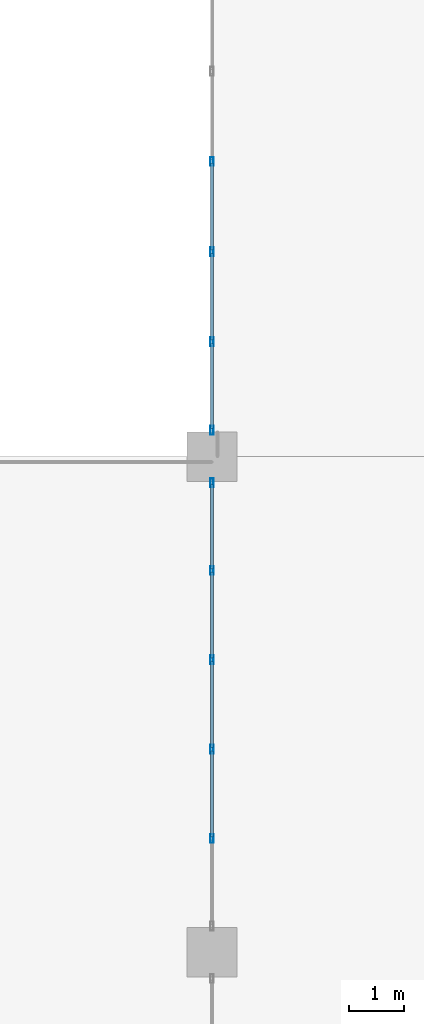
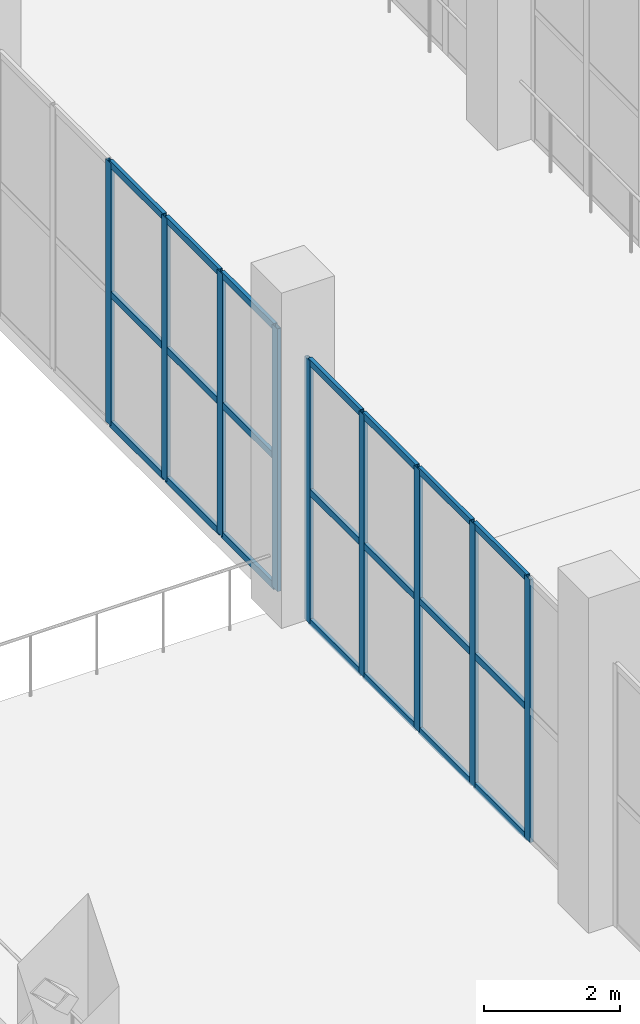
# One storey, part 107 of 223: 30 members, 2 elements without a shape of their own.
"""IFC4 building model written with IfcOpenShell, lengths in metres."""

from ifc_helpers import new_model, si_unit, direction, frame, origin, origin_2d, place, context, subcontext, project, spatial, hollow_rectangle, extrude, material, layer, layer_set, material_profile, profile_set, type_object, element, aggregate, save


model = new_model("IFC4")

# Units and contexts
model_context = context("Model", 3, precision=1e-05, world=origin(), true_north=direction((0.0, 1.0)))
body_context = subcontext(model_context, "Body", "Model", "MODEL_VIEW")
ifc_project = project(units=[si_unit("LENGTHUNIT", "METRE"), si_unit("AREAUNIT", "SQUARE_METRE"), si_unit("VOLUMEUNIT", "CUBIC_METRE"), si_unit("PLANEANGLEUNIT", "RADIAN"), si_unit("MASSUNIT", "GRAM", prefix="KILO")], contexts=[model_context])

# Site, building, storey
site_placement = place(None, origin())
site = spatial("IfcSite", under=ifc_project, at=site_placement, CompositionType="ELEMENT")
building_placement = place(site_placement, origin())
building = spatial("IfcBuilding", under=site, at=building_placement, Name="Dornveld Trade and Exhibition Forum", CompositionType="ELEMENT")
storey_placement = place(building_placement, frame((0.0, 0.0, 6.0)))
storey = spatial("IfcBuildingStorey", under=building, at=storey_placement, Name="L01", CompositionType="ELEMENT", Elevation=6.0)

# Curtain wall, members
ifc_material_1 = material(Name="Dark-bronze anodised aluminium and low-E glass", Category="aluminium")
ifc_layer_1 = layer(ifc_material_1, 0.154052734375)
ifc_layer_set_1 = layer_set([ifc_layer_1], Name="Dark-bronze anodised aluminium and low-E glass")
curtain_wall_type_1 = type_object("IfcCurtainWallType", Name="CW-SYS-04", PredefinedType="USERDEFINED", material=ifc_layer_set_1)
curtain_wall_1_placement = place(storey_placement, origin())
curtain_wall_1 = element("IfcCurtainWall", 1, at=curtain_wall_1_placement, inside=storey, type_object=curtain_wall_type_1, Name="L01 unitised curtain wall 148", ObjectType="UNITISED_CURTAIN_WALL", PredefinedType="USERDEFINED")
ifc_material_2 = material(Name="Dark-bronze anodised aluminium", Category="aluminium")
ifc_material_profile_1 = material_profile(ifc_material_2, hollow_rectangle(XDim=0.06005859375, YDim=0.159912109375, WallThickness=0.00390625, at=origin_2d()), Name="RHS 160x60x4")
ifc_profile_set_1 = profile_set([ifc_material_profile_1], Name="Dark-bronze anodised aluminium")
member_type_1 = type_object("IfcMemberType", Name="CW-MUL-160", PredefinedType="MULLION", material=ifc_profile_set_1)
member_1_placement = place(storey_placement, frame((90.0, 134.52392578125, -0.00390625), z_axis=(0.0, 0.0, 1.0), x_axis=(1.0, 0.0, 0.0)))
member_1 = element("IfcMember", 2, at=member_1_placement, type_object=member_type_1, Name="CW-04 mullion 1", PredefinedType="MULLION", context=body_context, shape_type="SweptSolid", body=[
    extrude(hollow_rectangle(XDim=0.06005859375, YDim=0.159912109375, WallThickness=0.00390625, at=origin_2d()), origin(), (0.0, 0.0, 1.0), 4.703857421875),
])
member_2_placement = place(storey_placement, frame((90.0, 132.932373046875, -0.00390625), z_axis=(0.0, 0.0, 1.0), x_axis=(1.0, 0.0, 0.0)))
member_2 = element("IfcMember", 3, at=member_2_placement, type_object=member_type_1, Name="CW-04 mullion 2", PredefinedType="MULLION", context=body_context, shape_type="SweptSolid", body=[
    extrude(hollow_rectangle(XDim=0.06005859375, YDim=0.159912109375, WallThickness=0.00390625, at=origin_2d()), origin(), (0.0, 0.0, 1.0), 4.703857421875),
])
member_3_placement = place(storey_placement, frame((90.0, 131.310791015625, -0.00390625), z_axis=(0.0, 0.0, 1.0), x_axis=(1.0, 0.0, 0.0)))
member_3 = element("IfcMember", 4, at=member_3_placement, type_object=member_type_1, Name="CW-04 mullion 3", PredefinedType="MULLION", context=body_context, shape_type="SweptSolid", body=[
    extrude(hollow_rectangle(XDim=0.06005859375, YDim=0.159912109375, WallThickness=0.00390625, at=origin_2d()), origin(), (0.0, 0.0, 1.0), 4.703857421875),
])
member_4_placement = place(storey_placement, frame((90.0, 129.689208984375, -0.00390625), z_axis=(0.0, 0.0, 1.0), x_axis=(1.0, 0.0, 0.0)))
member_4 = element("IfcMember", 5, at=member_4_placement, type_object=member_type_1, Name="CW-04 mullion 4", PredefinedType="MULLION", context=body_context, shape_type="SweptSolid", body=[
    extrude(hollow_rectangle(XDim=0.06005859375, YDim=0.159912109375, WallThickness=0.00390625, at=origin_2d()), origin(), (0.0, 0.0, 1.0), 4.703857421875),
])
member_5_placement = place(storey_placement, frame((90.0, 128.067626953125, -0.00390625), z_axis=(0.0, 0.0, 1.0), x_axis=(1.0, 0.0, 0.0)))
member_5 = element("IfcMember", 6, at=member_5_placement, type_object=member_type_1, Name="CW-04 mullion 5", PredefinedType="MULLION", context=body_context, shape_type="SweptSolid", body=[
    extrude(hollow_rectangle(XDim=0.06005859375, YDim=0.159912109375, WallThickness=0.00390625, at=origin_2d()), origin(), (0.0, 0.0, 1.0), 4.703857421875),
])

ifc_material_3 = material(Name="Dark-bronze anodised aluminium and low-E glass", Category="aluminium")
ifc_layer_2 = layer(ifc_material_3, 0.156982421875)
ifc_layer_set_2 = layer_set([ifc_layer_2], Name="Dark-bronze anodised aluminium and low-E glass")
curtain_wall_type_2 = type_object("IfcCurtainWallType", Name="CW-SYS-05", PredefinedType="USERDEFINED", material=ifc_layer_set_2)
curtain_wall_2_placement = place(storey_placement, origin())
curtain_wall_2 = element("IfcCurtainWall", 7, at=curtain_wall_2_placement, inside=storey, type_object=curtain_wall_type_2, Name="L01 unitised curtain wall 149", ObjectType="UNITISED_CURTAIN_WALL", PredefinedType="USERDEFINED")
member_6_placement = place(storey_placement, frame((90.0, 140.355712890625, -0.00390625), z_axis=(0.0, 0.0, 1.0), x_axis=(1.0, 0.0, 0.0)))
member_6 = element("IfcMember", 8, at=member_6_placement, type_object=member_type_1, Name="CW-05 mullion 3", PredefinedType="MULLION", context=body_context, shape_type="SweptSolid", body=[
    extrude(hollow_rectangle(XDim=0.06005859375, YDim=0.159912109375, WallThickness=0.00390625, at=origin_2d()), origin(), (0.0, 0.0, 1.0), 4.703857421875),
])
member_7_placement = place(storey_placement, frame((90.0, 138.71923828125, -0.00390625), z_axis=(0.0, 0.0, 1.0), x_axis=(1.0, 0.0, 0.0)))
member_7 = element("IfcMember", 9, at=member_7_placement, type_object=member_type_1, Name="CW-05 mullion 4", PredefinedType="MULLION", context=body_context, shape_type="SweptSolid", body=[
    extrude(hollow_rectangle(XDim=0.06005859375, YDim=0.159912109375, WallThickness=0.00390625, at=origin_2d()), origin(), (0.0, 0.0, 1.0), 4.703857421875),
])
member_8_placement = place(storey_placement, frame((90.0, 137.08251953125, -0.00390625), z_axis=(0.0, 0.0, 1.0), x_axis=(1.0, 0.0, 0.0)))
member_8 = element("IfcMember", 10, at=member_8_placement, type_object=member_type_1, Name="CW-05 mullion 5", PredefinedType="MULLION", context=body_context, shape_type="SweptSolid", body=[
    extrude(hollow_rectangle(XDim=0.06005859375, YDim=0.159912109375, WallThickness=0.00390625, at=origin_2d()), origin(), (0.0, 0.0, 1.0), 4.703857421875),
])
member_9_placement = place(storey_placement, frame((90.0, 135.47607421875, -0.00390625), z_axis=(0.0, 0.0, 1.0), x_axis=(1.0, 0.0, 0.0)))
member_9 = element("IfcMember", 11, at=member_9_placement, type_object=member_type_1, Name="CW-05 mullion 6", PredefinedType="MULLION", context=body_context, shape_type="SweptSolid", body=[
    extrude(hollow_rectangle(XDim=0.06005859375, YDim=0.159912109375, WallThickness=0.00390625, at=origin_2d()), origin(), (0.0, 0.0, 1.0), 4.703857421875),
])

# Member
ifc_material_4 = material(Name="Dark-bronze anodised aluminium", Category="aluminium")
ifc_material_profile_2 = material_profile(ifc_material_4, hollow_rectangle(XDim=0.06005859375, YDim=0.1201171875, WallThickness=0.00390625, at=origin_2d()), Name="RHS 120x60x4")
ifc_profile_set_2 = profile_set([ifc_material_profile_2], Name="Dark-bronze anodised aluminium")
member_type_2 = type_object("IfcMemberType", Name="CW-TRN-120", PredefinedType="USERDEFINED", material=ifc_profile_set_2)
member_10_placement = place(storey_placement, frame((90.0, 134.493896484375, 0.02587890625), z_axis=(0.0, -1.0, 0.0), x_axis=(1.0, 0.0, 0.0)))
member_10 = element("IfcMember", 12, at=member_10_placement, type_object=member_type_2, Name="CW-04 transom 1.1", ObjectType="TRANSOM", PredefinedType="USERDEFINED", context=body_context, shape_type="SweptSolid", body=[
    extrude(hollow_rectangle(XDim=0.06005859375, YDim=0.1201171875, WallThickness=0.00390625, at=origin_2d()), origin(), (0.0, 0.0, 1.0), 1.531494140625),
])

member_11_placement = place(storey_placement, frame((90.0, 134.493896484375, 2.347900390625), z_axis=(0.0, -1.0, 0.0), x_axis=(1.0, 0.0, 0.0)))
member_11 = element("IfcMember", 13, at=member_11_placement, type_object=member_type_2, Name="CW-04 transom 1.2", ObjectType="TRANSOM", PredefinedType="USERDEFINED", context=body_context, shape_type="SweptSolid", body=[
    extrude(hollow_rectangle(XDim=0.06005859375, YDim=0.1201171875, WallThickness=0.00390625, at=origin_2d()), origin(), (0.0, 0.0, 1.0), 1.531494140625),
])

member_12_placement = place(storey_placement, frame((90.0, 134.493896484375, 4.669921875), z_axis=(0.0, -1.0, 0.0), x_axis=(1.0, 0.0, 0.0)))
member_12 = element("IfcMember", 14, at=member_12_placement, type_object=member_type_2, Name="CW-04 transom 1.3", ObjectType="TRANSOM", PredefinedType="USERDEFINED", context=body_context, shape_type="SweptSolid", body=[
    extrude(hollow_rectangle(XDim=0.06005859375, YDim=0.1201171875, WallThickness=0.00390625, at=origin_2d()), origin(), (0.0, 0.0, 1.0), 1.531494140625),
])

member_13_placement = place(storey_placement, frame((90.0, 132.90234375, 0.02587890625), z_axis=(0.0, -1.0, 0.0), x_axis=(1.0, 0.0, 0.0)))
member_13 = element("IfcMember", 15, at=member_13_placement, type_object=member_type_2, Name="CW-04 transom 2.1", ObjectType="TRANSOM", PredefinedType="USERDEFINED", context=body_context, shape_type="SweptSolid", body=[
    extrude(hollow_rectangle(XDim=0.06005859375, YDim=0.1201171875, WallThickness=0.00390625, at=origin_2d()), origin(), (0.0, 0.0, 1.0), 1.5615234375),
])

member_14_placement = place(storey_placement, frame((90.0, 132.90234375, 2.347900390625), z_axis=(0.0, -1.0, 0.0), x_axis=(1.0, 0.0, 0.0)))
member_14 = element("IfcMember", 16, at=member_14_placement, type_object=member_type_2, Name="CW-04 transom 2.2", ObjectType="TRANSOM", PredefinedType="USERDEFINED", context=body_context, shape_type="SweptSolid", body=[
    extrude(hollow_rectangle(XDim=0.06005859375, YDim=0.1201171875, WallThickness=0.00390625, at=origin_2d()), origin(), (0.0, 0.0, 1.0), 1.5615234375),
])

member_15_placement = place(storey_placement, frame((90.0, 132.90234375, 4.669921875), z_axis=(0.0, -1.0, 0.0), x_axis=(1.0, 0.0, 0.0)))
member_15 = element("IfcMember", 17, at=member_15_placement, type_object=member_type_2, Name="CW-04 transom 2.3", ObjectType="TRANSOM", PredefinedType="USERDEFINED", context=body_context, shape_type="SweptSolid", body=[
    extrude(hollow_rectangle(XDim=0.06005859375, YDim=0.1201171875, WallThickness=0.00390625, at=origin_2d()), origin(), (0.0, 0.0, 1.0), 1.5615234375),
])

member_16_placement = place(storey_placement, frame((90.0, 131.28076171875, 0.02587890625), z_axis=(0.0, -1.0, 0.0), x_axis=(1.0, 0.0, 0.0)))
member_16 = element("IfcMember", 18, at=member_16_placement, type_object=member_type_2, Name="CW-04 transom 3.1", ObjectType="TRANSOM", PredefinedType="USERDEFINED", context=body_context, shape_type="SweptSolid", body=[
    extrude(hollow_rectangle(XDim=0.06005859375, YDim=0.1201171875, WallThickness=0.00390625, at=origin_2d()), origin(), (0.0, 0.0, 1.0), 1.5615234375),
])

member_17_placement = place(storey_placement, frame((90.0, 131.28076171875, 2.347900390625), z_axis=(0.0, -1.0, 0.0), x_axis=(1.0, 0.0, 0.0)))
member_17 = element("IfcMember", 19, at=member_17_placement, type_object=member_type_2, Name="CW-04 transom 3.2", ObjectType="TRANSOM", PredefinedType="USERDEFINED", context=body_context, shape_type="SweptSolid", body=[
    extrude(hollow_rectangle(XDim=0.06005859375, YDim=0.1201171875, WallThickness=0.00390625, at=origin_2d()), origin(), (0.0, 0.0, 1.0), 1.5615234375),
])

member_18_placement = place(storey_placement, frame((90.0, 131.28076171875, 4.669921875), z_axis=(0.0, -1.0, 0.0), x_axis=(1.0, 0.0, 0.0)))
member_18 = element("IfcMember", 20, at=member_18_placement, type_object=member_type_2, Name="CW-04 transom 3.3", ObjectType="TRANSOM", PredefinedType="USERDEFINED", context=body_context, shape_type="SweptSolid", body=[
    extrude(hollow_rectangle(XDim=0.06005859375, YDim=0.1201171875, WallThickness=0.00390625, at=origin_2d()), origin(), (0.0, 0.0, 1.0), 1.5615234375),
])

member_19_placement = place(storey_placement, frame((90.0, 129.6591796875, 0.02587890625), z_axis=(0.0, -1.0, 0.0), x_axis=(1.0, 0.0, 0.0)))
member_19 = element("IfcMember", 21, at=member_19_placement, type_object=member_type_2, Name="CW-04 transom 4.1", ObjectType="TRANSOM", PredefinedType="USERDEFINED", context=body_context, shape_type="SweptSolid", body=[
    extrude(hollow_rectangle(XDim=0.06005859375, YDim=0.1201171875, WallThickness=0.00390625, at=origin_2d()), origin(), (0.0, 0.0, 1.0), 1.5615234375),
])

member_20_placement = place(storey_placement, frame((90.0, 129.6591796875, 2.347900390625), z_axis=(0.0, -1.0, 0.0), x_axis=(1.0, 0.0, 0.0)))
member_20 = element("IfcMember", 22, at=member_20_placement, type_object=member_type_2, Name="CW-04 transom 4.2", ObjectType="TRANSOM", PredefinedType="USERDEFINED", context=body_context, shape_type="SweptSolid", body=[
    extrude(hollow_rectangle(XDim=0.06005859375, YDim=0.1201171875, WallThickness=0.00390625, at=origin_2d()), origin(), (0.0, 0.0, 1.0), 1.5615234375),
])

member_21_placement = place(storey_placement, frame((90.0, 129.6591796875, 4.669921875), z_axis=(0.0, -1.0, 0.0), x_axis=(1.0, 0.0, 0.0)))
member_21 = element("IfcMember", 23, at=member_21_placement, type_object=member_type_2, Name="CW-04 transom 4.3", ObjectType="TRANSOM", PredefinedType="USERDEFINED", context=body_context, shape_type="SweptSolid", body=[
    extrude(hollow_rectangle(XDim=0.06005859375, YDim=0.1201171875, WallThickness=0.00390625, at=origin_2d()), origin(), (0.0, 0.0, 1.0), 1.5615234375),
])

aggregate(curtain_wall_1, [member_1, member_2, member_3, member_4, member_5, member_10, member_11, member_12, member_13, member_14, member_15, member_16, member_17, member_18, member_19, member_20, member_21])

member_22_placement = place(storey_placement, frame((90.0, 140.32568359375, 0.02587890625), z_axis=(0.0, -1.0, 0.0), x_axis=(1.0, 0.0, 0.0)))
member_22 = element("IfcMember", 24, at=member_22_placement, type_object=member_type_2, Name="CW-05 transom 3.1", ObjectType="TRANSOM", PredefinedType="USERDEFINED", context=body_context, shape_type="SweptSolid", body=[
    extrude(hollow_rectangle(XDim=0.06005859375, YDim=0.1201171875, WallThickness=0.00390625, at=origin_2d()), origin(), (0.0, 0.0, 1.0), 1.576416015625),
])

member_23_placement = place(storey_placement, frame((90.0, 140.32568359375, 2.347900390625), z_axis=(0.0, -1.0, 0.0), x_axis=(1.0, 0.0, 0.0)))
member_23 = element("IfcMember", 25, at=member_23_placement, type_object=member_type_2, Name="CW-05 transom 3.2", ObjectType="TRANSOM", PredefinedType="USERDEFINED", context=body_context, shape_type="SweptSolid", body=[
    extrude(hollow_rectangle(XDim=0.06005859375, YDim=0.1201171875, WallThickness=0.00390625, at=origin_2d()), origin(), (0.0, 0.0, 1.0), 1.576416015625),
])

member_24_placement = place(storey_placement, frame((90.0, 140.32568359375, 4.669921875), z_axis=(0.0, -1.0, 0.0), x_axis=(1.0, 0.0, 0.0)))
member_24 = element("IfcMember", 26, at=member_24_placement, type_object=member_type_2, Name="CW-05 transom 3.3", ObjectType="TRANSOM", PredefinedType="USERDEFINED", context=body_context, shape_type="SweptSolid", body=[
    extrude(hollow_rectangle(XDim=0.06005859375, YDim=0.1201171875, WallThickness=0.00390625, at=origin_2d()), origin(), (0.0, 0.0, 1.0), 1.576416015625),
])

member_25_placement = place(storey_placement, frame((90.0, 138.689208984375, 0.02587890625), z_axis=(0.0, -1.0, 0.0), x_axis=(1.0, 0.0, 0.0)))
member_25 = element("IfcMember", 27, at=member_25_placement, type_object=member_type_2, Name="CW-05 transom 4.1", ObjectType="TRANSOM", PredefinedType="USERDEFINED", context=body_context, shape_type="SweptSolid", body=[
    extrude(hollow_rectangle(XDim=0.06005859375, YDim=0.1201171875, WallThickness=0.00390625, at=origin_2d()), origin(), (0.0, 0.0, 1.0), 1.57666015625),
])

member_26_placement = place(storey_placement, frame((90.0, 138.689208984375, 2.347900390625), z_axis=(0.0, -1.0, 0.0), x_axis=(1.0, 0.0, 0.0)))
member_26 = element("IfcMember", 28, at=member_26_placement, type_object=member_type_2, Name="CW-05 transom 4.2", ObjectType="TRANSOM", PredefinedType="USERDEFINED", context=body_context, shape_type="SweptSolid", body=[
    extrude(hollow_rectangle(XDim=0.06005859375, YDim=0.1201171875, WallThickness=0.00390625, at=origin_2d()), origin(), (0.0, 0.0, 1.0), 1.57666015625),
])

member_27_placement = place(storey_placement, frame((90.0, 138.689208984375, 4.669921875), z_axis=(0.0, -1.0, 0.0), x_axis=(1.0, 0.0, 0.0)))
member_27 = element("IfcMember", 29, at=member_27_placement, type_object=member_type_2, Name="CW-05 transom 4.3", ObjectType="TRANSOM", PredefinedType="USERDEFINED", context=body_context, shape_type="SweptSolid", body=[
    extrude(hollow_rectangle(XDim=0.06005859375, YDim=0.1201171875, WallThickness=0.00390625, at=origin_2d()), origin(), (0.0, 0.0, 1.0), 1.57666015625),
])

member_28_placement = place(storey_placement, frame((90.0, 137.052490234375, 0.02587890625), z_axis=(0.0, -1.0, 0.0), x_axis=(1.0, 0.0, 0.0)))
member_28 = element("IfcMember", 30, at=member_28_placement, type_object=member_type_2, Name="CW-05 transom 5.1", ObjectType="TRANSOM", PredefinedType="USERDEFINED", context=body_context, shape_type="SweptSolid", body=[
    extrude(hollow_rectangle(XDim=0.06005859375, YDim=0.1201171875, WallThickness=0.00390625, at=origin_2d()), origin(), (0.0, 0.0, 1.0), 1.54638671875),
])

member_29_placement = place(storey_placement, frame((90.0, 137.052490234375, 2.347900390625), z_axis=(0.0, -1.0, 0.0), x_axis=(1.0, 0.0, 0.0)))
member_29 = element("IfcMember", 31, at=member_29_placement, type_object=member_type_2, Name="CW-05 transom 5.2", ObjectType="TRANSOM", PredefinedType="USERDEFINED", context=body_context, shape_type="SweptSolid", body=[
    extrude(hollow_rectangle(XDim=0.06005859375, YDim=0.1201171875, WallThickness=0.00390625, at=origin_2d()), origin(), (0.0, 0.0, 1.0), 1.54638671875),
])

member_30_placement = place(storey_placement, frame((90.0, 137.052490234375, 4.669921875), z_axis=(0.0, -1.0, 0.0), x_axis=(1.0, 0.0, 0.0)))
member_30 = element("IfcMember", 32, at=member_30_placement, type_object=member_type_2, Name="CW-05 transom 5.3", ObjectType="TRANSOM", PredefinedType="USERDEFINED", context=body_context, shape_type="SweptSolid", body=[
    extrude(hollow_rectangle(XDim=0.06005859375, YDim=0.1201171875, WallThickness=0.00390625, at=origin_2d()), origin(), (0.0, 0.0, 1.0), 1.54638671875),
])

aggregate(curtain_wall_2, [member_6, member_7, member_8, member_9, member_22, member_23, member_24, member_25, member_26, member_27, member_28, member_29, member_30])

save(model, "model.ifc")
